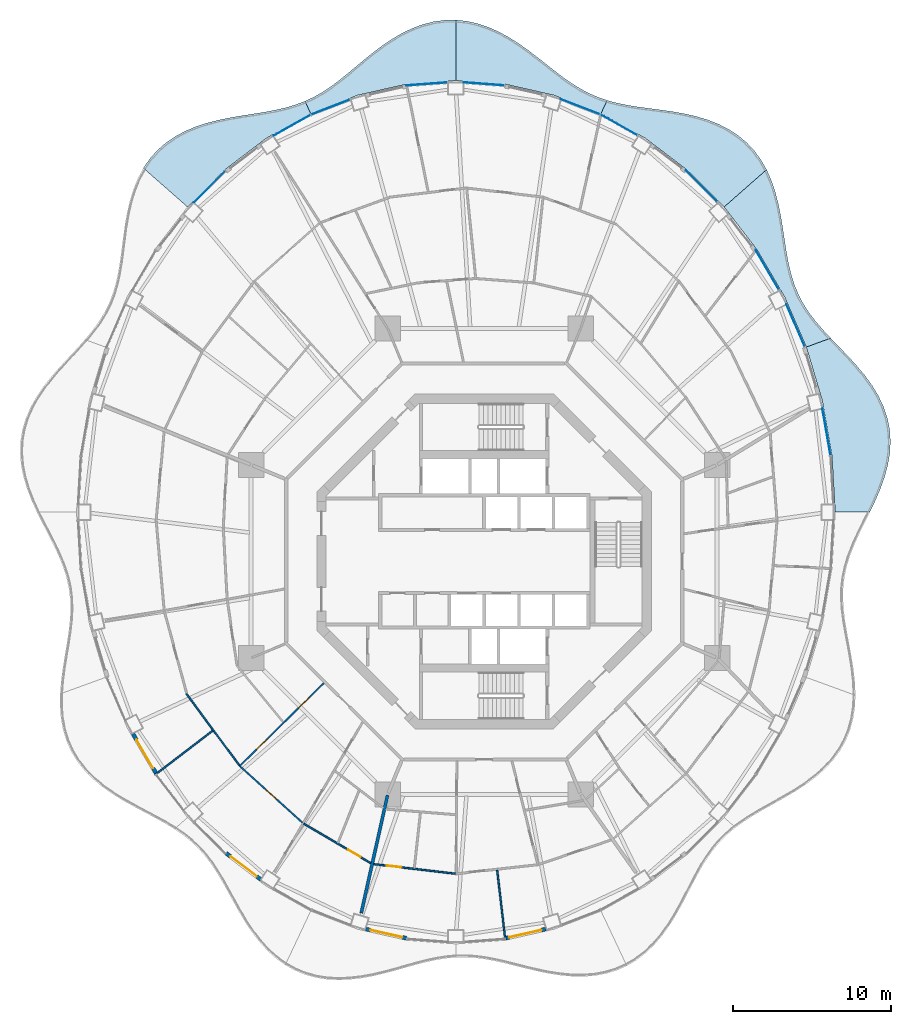
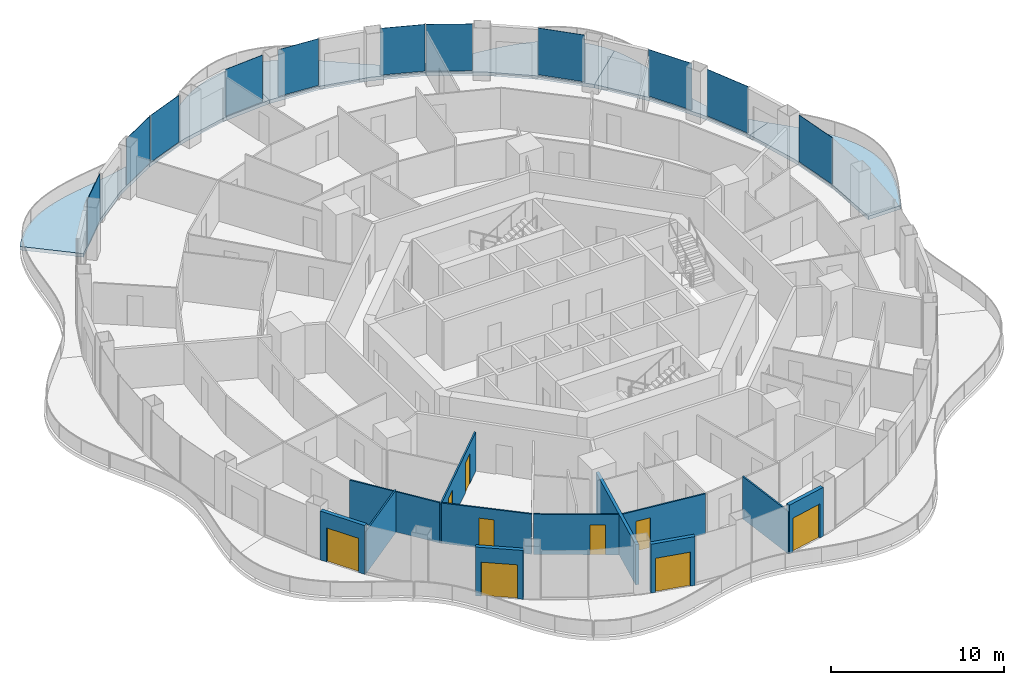
# One storey, part 9 of 18: 12 walls, 11 plates, 9 doors, 6 slabs, 9 openings, 11 elements without a shape of their own.
"""IFC4 building model written with IfcOpenShell, lengths in metres."""

from ifc_helpers import new_model, si_unit, direction, frame, frame_2d, origin, origin_2d, place, context, subcontext, project, spatial, polyline, rectangle, outline, extrude, material, layer, layer_set, type_object, element, fill, aggregate, save


model = new_model("IFC4")

# Units and contexts
model_context = context("Model", 3, precision=1e-05, world=origin(), true_north=direction((0.0, 1.0)))
body_context = subcontext(model_context, "Body", "Model", "MODEL_VIEW")
ifc_project = project(units=[si_unit("LENGTHUNIT", "METRE"), si_unit("AREAUNIT", "SQUARE_METRE"), si_unit("VOLUMEUNIT", "CUBIC_METRE"), si_unit("PLANEANGLEUNIT", "RADIAN"), si_unit("MASSUNIT", "GRAM", prefix="KILO")], contexts=[model_context])

# Site, building, storey
site_placement = place(None, origin())
site = spatial("IfcSite", under=ifc_project, at=site_placement, CompositionType="ELEMENT")
building_placement = place(site_placement, origin())
building = spatial("IfcBuilding", under=site, at=building_placement, Name="Nagisa Residences", CompositionType="ELEMENT")
storey_placement = place(building_placement, frame((0.0, 0.0, 234.39990234375)))
storey = spatial("IfcBuildingStorey", under=building, at=storey_placement, Name="L59", CompositionType="ELEMENT", Elevation=234.39990234375)

# Slabs
ifc_material_1 = material(Name="Concrete C40/50", Category="concrete")
ifc_layer_1 = layer(ifc_material_1, 0.25)
ifc_layer_set_1 = layer_set([ifc_layer_1], Name="BALCONY SLAB 250")
slab_type = type_object("IfcSlabType", Name="BALCONY SLAB 250", PredefinedType="FLOOR", material=ifc_layer_set_1)
slab_1_placement = place(storey_placement, frame((0.0, 0.0, -0.25)))
element("IfcSlab", 1, at=slab_1_placement, inside=storey, type_object=slab_type, Name="slab:L59:bal00", PredefinedType="FLOOR", context=body_context, shape_type="SweptSolid", body=[
    extrude(outline(polyline([(24.463134765625, 3.11767578125), (24.804931640625, 3.840576171875), (25.120361328125, 4.57763671875), (25.390869140625, 5.326904296875), (25.59912109375, 6.08447265625), (25.73046875, 6.845703125), (25.7744140625, 7.605224609375), (25.72412109375, 8.3564453125), (25.576904296875, 9.093994140625), (25.33544921875, 9.8125), (25.00634765625, 10.507568359375), (24.6005859375, 11.1767578125), (24.1318359375, 11.818603515625), (23.617431640625, 12.434326171875), (23.0751953125, 13.02685546875), (22.52392578125, 13.600341796875), (21.98193359375, 14.161376953125), (20.437744140625, 13.599365234375), (21.449951171875, 10.206787109375), (22.06396484375, 6.69287109375), (22.27001953125, 3.11767578125), (24.463134765625, 3.11767578125)])), origin(), (0.0, 0.0, 1.0), 0.25),
])
slab_2_placement = place(storey_placement, frame((0.0, 0.0, -0.25)))
element("IfcSlab", 2, at=slab_2_placement, inside=storey, type_object=slab_type, Name="slab:L59:bal01", PredefinedType="FLOOR", context=body_context, shape_type="SweptSolid", body=[
    extrude(outline(polyline([(21.98193359375, 14.161376953125), (21.48095703125, 14.7001953125), (21.01708984375, 15.24169921875), (20.60009765625, 15.793212890625), (20.23583984375, 16.36181640625), (19.927490234375, 16.953857421875), (19.673583984375, 17.573974609375), (19.469482421875, 18.22509765625), (19.306640625, 18.90771484375), (19.174072265625, 19.620361328125), (19.05859375, 20.359130859375), (18.9453125, 21.117431640625), (18.819580078125, 21.88671875), (18.666259765625, 22.656494140625), (18.4716796875, 23.415771484375), (18.224365234375, 24.152099609375), (17.9150390625, 24.853759765625), (15.219970703125, 22.4853515625), (17.2958984375, 19.791748046875), (19.045166015625, 16.812744140625), (20.437744140625, 13.599365234375), (21.98193359375, 14.161376953125)])), origin(), (0.0, 0.0, 1.0), 0.25),
])
slab_3_placement = place(storey_placement, frame((0.0, 0.0, -0.25)))
element("IfcSlab", 3, at=slab_3_placement, inside=storey, type_object=slab_type, Name="slab:L59:bal02", PredefinedType="FLOOR", context=body_context, shape_type="SweptSolid", body=[
    extrude(outline(polyline([(17.9150390625, 24.853759765625), (17.556884765625, 25.479736328125), (17.134521484375, 26.055419921875), (16.648193359375, 26.573974609375), (16.100830078125, 27.03076171875), (15.498046875, 27.423583984375), (14.84716796875, 27.752685546875), (14.157470703125, 28.021728515625), (13.439208984375, 28.23583984375), (12.703369140625, 28.403564453125), (11.96044921875, 28.534912109375), (11.22021484375, 28.641845703125), (10.491455078125, 28.737060546875), (9.78125, 28.833251953125), (9.094482421875, 28.943115234375), (8.433837890625, 29.078369140625), (7.80029296875, 29.248291015625), (7.4111328125, 28.4228515625), (10.235107421875, 26.838134765625), (12.852783203125, 24.84765625), (15.219970703125, 22.4853515625), (17.9150390625, 24.853759765625)])), origin(), (0.0, 0.0, 1.0), 0.25),
])
slab_4_placement = place(storey_placement, frame((0.0, 0.0, -0.25)))
element("IfcSlab", 4, at=slab_4_placement, inside=storey, type_object=slab_type, Name="slab:L59:bal03", PredefinedType="FLOOR", context=body_context, shape_type="SweptSolid", body=[
    extrude(outline(polyline([(7.80029296875, 29.248291015625), (7.213623046875, 29.4521484375), (6.647216796875, 29.699462890625), (6.0966796875, 29.991455078125), (5.556640625, 30.3271484375), (5.020751953125, 30.701904296875), (4.482666015625, 31.10888671875), (3.9365234375, 31.538818359375), (3.376953125, 31.980224609375), (2.7998046875, 32.420166015625), (2.20166015625, 32.844970703125), (1.5810546875, 33.240234375), (0.9384765625, 33.592529296875), (0.275390625, 33.889404296875), (-0.4052734375, 34.11962890625), (-1.098876953125, 34.275146484375), (-1.800048828125, 34.349365234375), (-1.800048828125, 30.5078125), (1.341796875, 30.2734375), (4.4296875, 29.574462890625), (7.4111328125, 28.4228515625), (7.80029296875, 29.248291015625)])), origin(), (0.0, 0.0, 1.0), 0.25),
])
slab_5_placement = place(storey_placement, frame((0.0, 0.0, -0.25)))
element("IfcSlab", 5, at=slab_5_placement, inside=storey, type_object=slab_type, Name="slab:L59:bal04", PredefinedType="FLOOR", context=body_context, shape_type="SweptSolid", body=[
    extrude(outline(polyline([(-1.800048828125, 34.349365234375), (-2.503173828125, 34.33984375), (-3.201904296875, 34.246337890625), (-3.890869140625, 34.07177734375), (-4.564453125, 33.82275390625), (-5.218994140625, 33.5078125), (-5.851318359375, 33.137939453125), (-6.46044921875, 32.725830078125), (-7.04638671875, 32.28466796875), (-7.611083984375, 31.8291015625), (-8.157958984375, 31.372314453125), (-8.69189453125, 30.927490234375), (-9.21826171875, 30.505615234375), (-9.74365234375, 30.1162109375), (-10.274169921875, 29.765869140625), (-10.81640625, 29.458740234375), (-11.375732421875, 29.196044921875), (-11.01123046875, 28.4228515625), (-8.02978515625, 29.574462890625), (-4.941650390625, 30.2734375), (-1.800048828125, 30.5078125), (-1.800048828125, 34.349365234375)])), origin(), (0.0, 0.0, 1.0), 0.25),
])
slab_6_placement = place(storey_placement, frame((0.0, 0.0, -0.25)))
element("IfcSlab", 6, at=slab_6_placement, inside=storey, type_object=slab_type, Name="slab:L59:bal05", PredefinedType="FLOOR", context=body_context, shape_type="SweptSolid", body=[
    extrude(outline(polyline([(-11.375732421875, 29.196044921875), (-11.978759765625, 28.968994140625), (-12.6083984375, 28.783447265625), (-13.265625, 28.632080078125), (-13.94970703125, 28.505126953125), (-14.65771484375, 28.390869140625), (-15.3837890625, 28.27734375), (-16.120849609375, 28.151611328125), (-16.85986328125, 28.0009765625), (-17.59033203125, 27.814208984375), (-18.3017578125, 27.581298828125), (-18.98291015625, 27.294677734375), (-19.623779296875, 26.948486328125), (-20.215087890625, 26.540283203125), (-20.7490234375, 26.0693359375), (-21.220703125, 25.538330078125), (-21.626953125, 24.9521484375), (-18.820068359375, 22.4853515625), (-16.452880859375, 24.84765625), (-13.8349609375, 26.838134765625), (-11.01123046875, 28.4228515625), (-11.375732421875, 29.196044921875)])), origin(), (0.0, 0.0, 1.0), 0.25),
])

# Curtain wall, plate
ifc_material_2 = material(Name="Concrete-coloured aluminium curtain wall system", Category="concrete")
ifc_layer_2 = layer(ifc_material_2, 0.159912109375)
ifc_layer_set_2 = layer_set([ifc_layer_2], Name="CW1 CURTAIN WALL")
curtain_wall_type = type_object("IfcCurtainWallType", Name="CW1 CURTAIN WALL", PredefinedType="NOTDEFINED", material=ifc_layer_set_2)
curtain_wall_1_placement = place(storey_placement, origin())
curtain_wall_1 = element("IfcCurtainWall", 7, at=curtain_wall_1_placement, inside=storey, type_object=curtain_wall_type, Name="cw:CW1:L59:01", PredefinedType="NOTDEFINED")
ifc_material_3 = material(Name="Clear laminated glass", Category="glass")
ifc_layer_3 = layer(ifc_material_3, 0.028076171875)
ifc_layer_set_3 = layer_set([ifc_layer_3], Name="CW1 GLASS PANEL")
plate_type = type_object("IfcPlateType", Name="CW1 GLASS PANEL", PredefinedType="CURTAIN_PANEL", material=ifc_layer_set_3)
plate_1_placement = place(storey_placement, frame((21.716064453125, 8.21923828125, 0.150146484375), z_axis=(0.0, 0.0, 1.0), x_axis=(-0.172190868898, 0.985063604377, 0.0)))
plate_1 = element("IfcPlate", 8, at=plate_1_placement, type_object=plate_type, Name="CW1 panel", PredefinedType="CURTAIN_PANEL", context=body_context, shape_type="SweptSolid", body=[
    extrude(rectangle(XDim=3.00732421875, YDim=0.028076171875, at=origin_2d()), origin(), (0.0, 0.0, 1.0), 3.2900390625),
])
aggregate(curtain_wall_1, [plate_1])

curtain_wall_2_placement = place(storey_placement, origin())
curtain_wall_2 = element("IfcCurtainWall", 9, at=curtain_wall_2_placement, inside=storey, type_object=curtain_wall_type, Name="cw:CW1:L59:03", PredefinedType="NOTDEFINED")
plate_2_placement = place(storey_placement, frame((19.755615234375, 14.972412109375, 0.150146484375), z_axis=(0.0, 0.0, 1.0), x_axis=(-0.397635934147, 0.917543276295, 0.0)))
plate_2 = element("IfcPlate", 10, at=plate_2_placement, type_object=plate_type, Name="CW1 panel", PredefinedType="CURTAIN_PANEL", context=body_context, shape_type="SweptSolid", body=[
    extrude(rectangle(XDim=2.942138671875, YDim=0.028076171875, at=origin_2d()), origin(), (0.0, 0.0, 1.0), 3.2900390625),
])
aggregate(curtain_wall_2, [plate_2])

curtain_wall_3_placement = place(storey_placement, origin())
curtain_wall_3 = element("IfcCurtainWall", 11, at=curtain_wall_3_placement, inside=storey, type_object=curtain_wall_type, Name="cw:CW1:L59:04", PredefinedType="NOTDEFINED")
plate_3_placement = place(storey_placement, frame((17.9599609375, 18.503173828125, 0.150146484375), z_axis=(0.0, 0.0, 1.0), x_axis=(-0.506348567002, 0.862328898214, 0.0)))
plate_3 = element("IfcPlate", 12, at=plate_3_placement, type_object=plate_type, Name="CW1 panel", PredefinedType="CURTAIN_PANEL", context=body_context, shape_type="SweptSolid", body=[
    extrude(rectangle(XDim=2.89453125, YDim=0.028076171875, at=origin_2d()), origin(), (0.0, 0.0, 1.0), 3.2900390625),
])
aggregate(curtain_wall_3, [plate_3])

curtain_wall_4_placement = place(storey_placement, origin())
curtain_wall_4 = element("IfcCurtainWall", 13, at=curtain_wall_4_placement, inside=storey, type_object=curtain_wall_type, Name="cw:CW1:L59:06", PredefinedType="NOTDEFINED")
plate_4_placement = place(storey_placement, frame((13.78173828125, 23.8076171875, 0.150146484375), z_axis=(0.0, 0.0, 1.0), x_axis=(-0.707835924016, 0.706376885714, 0.0)))
plate_4 = element("IfcPlate", 14, at=plate_4_placement, type_object=plate_type, Name="CW1 panel", PredefinedType="CURTAIN_PANEL", context=body_context, shape_type="SweptSolid", body=[
    extrude(rectangle(XDim=2.7841796875, YDim=0.028076171875, at=origin_2d()), origin(), (0.0, 0.0, 1.0), 3.2900390625),
])
aggregate(curtain_wall_4, [plate_4])

curtain_wall_5_placement = place(storey_placement, origin())
curtain_wall_5 = element("IfcCurtainWall", 15, at=curtain_wall_5_placement, inside=storey, type_object=curtain_wall_type, Name="cw:CW1:L59:08", PredefinedType="NOTDEFINED")
plate_5_placement = place(storey_placement, frame((8.539794921875, 27.69775390625, 0.150146484375), z_axis=(0.0, 0.0, 1.0), x_axis=(-0.872072377523, 0.489376918501, 0.0)))
plate_5 = element("IfcPlate", 16, at=plate_5_placement, type_object=plate_type, Name="CW1 panel", PredefinedType="CURTAIN_PANEL", context=body_context, shape_type="SweptSolid", body=[
    extrude(rectangle(XDim=2.677978515625, YDim=0.028076171875, at=origin_2d()), origin(), (0.0, 0.0, 1.0), 3.2900390625),
])
aggregate(curtain_wall_5, [plate_5])

curtain_wall_6_placement = place(storey_placement, origin())
curtain_wall_6 = element("IfcCurtainWall", 17, at=curtain_wall_6_placement, inside=storey, type_object=curtain_wall_type, Name="cw:CW1:L59:09", PredefinedType="NOTDEFINED")
plate_6_placement = place(storey_placement, frame((6.096923828125, 28.8447265625, 0.150146484375), z_axis=(0.0, 0.0, 1.0), x_axis=(-0.932825759707, 0.360327770268, 0.0)))
plate_6 = element("IfcPlate", 18, at=plate_6_placement, type_object=plate_type, Name="CW1 panel", PredefinedType="CURTAIN_PANEL", context=body_context, shape_type="SweptSolid", body=[
    extrude(rectangle(XDim=2.63623046875, YDim=0.028076171875, at=origin_2d()), origin(), (0.0, 0.0, 1.0), 3.2900390625),
])
aggregate(curtain_wall_6, [plate_6])

curtain_wall_7_placement = place(storey_placement, origin())
curtain_wall_7 = element("IfcCurtainWall", 19, at=curtain_wall_7_placement, inside=storey, type_object=curtain_wall_type, Name="cw:CW1:L59:11", PredefinedType="NOTDEFINED")
plate_7_placement = place(storey_placement, frame((-0.015625, 30.29443359375, 0.150146484375), z_axis=(0.0, 0.0, 1.0), x_axis=(-0.997230168512, 0.074377355493, 0.0)))
plate_7 = element("IfcPlate", 20, at=plate_7_placement, type_object=plate_type, Name="CW1 panel", PredefinedType="CURTAIN_PANEL", context=body_context, shape_type="SweptSolid", body=[
    extrude(rectangle(XDim=2.590576171875, YDim=0.028076171875, at=origin_2d()), origin(), (0.0, 0.0, 1.0), 3.2900390625),
])
aggregate(curtain_wall_7, [plate_7])

curtain_wall_8_placement = place(storey_placement, origin())
curtain_wall_8 = element("IfcCurtainWall", 21, at=curtain_wall_8_placement, inside=storey, type_object=curtain_wall_type, Name="cw:CW1:L59:12", PredefinedType="NOTDEFINED")
plate_8_placement = place(storey_placement, frame((-3.64404296875, 30.2900390625, 0.150146484375), z_axis=(0.0, 0.0, 1.0), x_axis=(-0.997230168512, -0.074377355493, 0.0)))
plate_8 = element("IfcPlate", 22, at=plate_8_placement, type_object=plate_type, Name="CW1 panel", PredefinedType="CURTAIN_PANEL", context=body_context, shape_type="SweptSolid", body=[
    extrude(rectangle(XDim=2.590576171875, YDim=0.028076171875, at=origin_2d()), origin(), (0.0, 0.0, 1.0), 3.2900390625),
])
aggregate(curtain_wall_8, [plate_8])

curtain_wall_9_placement = place(storey_placement, origin())
curtain_wall_9 = element("IfcCurtainWall", 23, at=curtain_wall_9_placement, inside=storey, type_object=curtain_wall_type, Name="cw:CW1:L59:14", PredefinedType="NOTDEFINED")
plate_9_placement = place(storey_placement, frame((-9.7529296875, 28.822998046875, 0.150146484375), z_axis=(0.0, 0.0, 1.0), x_axis=(-0.932825759707, -0.360327770268, 0.0)))
plate_9 = element("IfcPlate", 24, at=plate_9_placement, type_object=plate_type, Name="CW1 panel", PredefinedType="CURTAIN_PANEL", context=body_context, shape_type="SweptSolid", body=[
    extrude(rectangle(XDim=2.63623046875, YDim=0.028076171875, at=origin_2d()), origin(), (0.0, 0.0, 1.0), 3.2900390625),
])
aggregate(curtain_wall_9, [plate_9])

curtain_wall_10_placement = place(storey_placement, origin())
curtain_wall_10 = element("IfcCurtainWall", 25, at=curtain_wall_10_placement, inside=storey, type_object=curtain_wall_type, Name="cw:CW1:L59:15", PredefinedType="NOTDEFINED")
plate_10_placement = place(storey_placement, frame((-12.192138671875, 27.66845703125, 0.150146484375), z_axis=(0.0, 0.0, 1.0), x_axis=(-0.872072377523, -0.489376918501, 0.0)))
plate_10 = element("IfcPlate", 26, at=plate_10_placement, type_object=plate_type, Name="CW1 panel", PredefinedType="CURTAIN_PANEL", context=body_context, shape_type="SweptSolid", body=[
    extrude(rectangle(XDim=2.677978515625, YDim=0.028076171875, at=origin_2d()), origin(), (0.0, 0.0, 1.0), 3.2900390625),
])
aggregate(curtain_wall_10, [plate_10])

curtain_wall_11_placement = place(storey_placement, origin())
curtain_wall_11 = element("IfcCurtainWall", 27, at=curtain_wall_11_placement, inside=storey, type_object=curtain_wall_type, Name="cw:CW1:L59:17", PredefinedType="NOTDEFINED")
plate_11_placement = place(storey_placement, frame((-17.42431640625, 23.765380859375, 0.150146484375), z_axis=(0.0, 0.0, 1.0), x_axis=(-0.707835924016, -0.706376885714, 0.0)))
plate_11 = element("IfcPlate", 28, at=plate_11_placement, type_object=plate_type, Name="CW1 panel", PredefinedType="CURTAIN_PANEL", context=body_context, shape_type="SweptSolid", body=[
    extrude(rectangle(XDim=2.7841796875, YDim=0.028076171875, at=origin_2d()), origin(), (0.0, 0.0, 1.0), 3.2900390625),
])
aggregate(curtain_wall_11, [plate_11])

# Walls
ifc_material_4 = material(Name="Gypsum board on steel studs", Category="steel")
ifc_layer_4 = layer(ifc_material_4, 0.199951171875)
ifc_layer_set_4 = layer_set([ifc_layer_4], Name="Apartment compartment wall EI60 200")
wall_type_1 = type_object("IfcWallType", Name="Apartment compartment wall EI60 200", PredefinedType="PARTITIONING", material=ifc_layer_set_4)
wall_1_placement = place(storey_placement, frame((-6.1337890625, -14.830810546875, 0.0), z_axis=(0.0, 0.0, 1.0), x_axis=(-0.217500172543, -0.976060282433, 0.0)))
element("IfcWall", 29, at=wall_1_placement, inside=storey, type_object=wall_type_1, Name="wall:L59:u05", PredefinedType="PARTITIONING", context=body_context, shape_type="SweptSolid", body=[
    extrude(rectangle(XDim=7.667724609375, YDim=0.199951171875, at=frame_2d((3.833984375, 0.0))), origin(), (0.0, 0.0, 1.0), 2.837158203125),
])
ifc_material_5 = material(Name="Gypsum board on steel studs", Category="steel")
ifc_layer_5 = layer(ifc_material_5, 0.10009765625)
ifc_layer_set_5 = layer_set([ifc_layer_5], Name="Apartment partition 100")
wall_type_2 = type_object("IfcWallType", Name="Apartment partition 100", PredefinedType="PARTITIONING", material=ifc_layer_set_5)
wall_2_placement = place(storey_placement, frame((-18.893310546875, -8.394775390625, 0.0), z_axis=(0.0, 0.0, 1.0), x_axis=(0.593212299255, -0.80504606577, 0.0)))
element("IfcWall", 30, at=wall_2_placement, inside=storey, type_object=wall_type_2, Name="wall:L59:u67", PredefinedType="PARTITIONING", context=body_context, shape_type="SweptSolid", body=[
    extrude(rectangle(XDim=5.65185546875, YDim=0.10009765625, at=frame_2d((2.825927734375, 0.0))), origin(), (0.0, 0.0, 1.0), 2.837158203125),
])
wall_3_placement = place(storey_placement, frame((-17.226806640625, -10.740478515625, 0.0), z_axis=(0.0, 0.0, 1.0), x_axis=(-0.793312316411, -0.60881488864, 0.0)))
element("IfcWall", 31, at=wall_3_placement, inside=storey, type_object=wall_type_2, Name="wall:L59:u68", PredefinedType="PARTITIONING", context=body_context, shape_type="SweptSolid", body=[
    extrude(rectangle(XDim=4.585205078125, YDim=0.10009765625, at=frame_2d((2.29248046875, 0.0))), origin(), (0.0, 0.0, 1.0), 2.983154296875),
])

# Wall, openings, doors
wall_4_placement = place(storey_placement, frame((-10.1826171875, -7.728271484375, 0.0), z_axis=(0.0, 0.0, 1.0), x_axis=(-0.711869910979, -0.702311348223, 0.0)))
wall_4 = element("IfcWall", 32, at=wall_4_placement, inside=storey, type_object=wall_type_2, Name="wall:L59:u69", PredefinedType="PARTITIONING", context=body_context, shape_type="SweptSolid", body=[
    extrude(rectangle(XDim=7.53466796875, YDim=0.10009765625, at=frame_2d((3.767333984375, 0.0))), origin(), (0.0, 0.0, 1.0), 2.76220703125),
])
opening_1_placement = place(wall_4_placement, frame((1.335205078125, 0.0, 0.0)))
opening_1 = element("IfcOpeningElement", 33, at=opening_1_placement, cuts=wall_4, Name="Opening L59-U02", PredefinedType="OPENING", context=body_context, shape_type="SweptSolid", body=[
    extrude(rectangle(XDim=0.89990234375, YDim=2.10009765625, at=frame_2d((0.449951171875, 1.050048828125))), frame((0.0, 0.06005859375, 0.0), z_axis=(0.0, -1.0, 0.0), x_axis=(1.0, 0.0, 0.0)), (0.0, 0.0, 1.0), 0.1201171875),
])
opening_2_placement = place(wall_4_placement, frame((5.077392578125, 0.0, 0.0)))
opening_2 = element("IfcOpeningElement", 34, at=opening_2_placement, cuts=wall_4, Name="Opening L59-U04", PredefinedType="OPENING", context=body_context, shape_type="SweptSolid", body=[
    extrude(rectangle(XDim=0.89990234375, YDim=2.10009765625, at=frame_2d((0.449951171875, 1.050048828125))), frame((0.0, 0.06005859375, 0.0), z_axis=(0.0, -1.0, 0.0), x_axis=(1.0, 0.0, 0.0)), (0.0, 0.0, 1.0), 0.1201171875),
])
ifc_material_6 = material(Name="Timber door set", Category="wood")
door_type_1 = type_object("IfcDoorType", Name="Apartment door 900x2100", OperationType="NOTDEFINED", PredefinedType="DOOR", material=ifc_material_6)
door_1_placement = place(opening_1_placement, frame((0.89990234375, 0.0, 0.0), x_axis=(-1.0, 0.0, 0.0)))
door_1 = element("IfcDoor", 35, at=door_1_placement, inside=storey, type_object=door_type_1, Name="Door to store, Apartment 59A", OperationType="SINGLE_SWING_LEFT", OverallHeight=2.10009765625, OverallWidth=0.89990234375, PredefinedType="DOOR", context=body_context, shape_type="SweptSolid", body=[
    extrude(rectangle(XDim=0.89990234375, YDim=2.10009765625, at=frame_2d((0.449951171875, 1.050048828125))), frame((0.0, 0.02490234375, 0.0), z_axis=(0.0, -1.0, 0.0), x_axis=(1.0, 0.0, 0.0)), (0.0, 0.0, 1.0), 0.050048828125),
])
fill(opening_1, door_1)
door_2_placement = place(opening_2_placement, frame((0.89990234375, 0.0, 0.0), x_axis=(-1.0, 0.0, 0.0)))
door_2 = element("IfcDoor", 36, at=door_2_placement, inside=storey, type_object=door_type_1, Name="Door to study, Apartment 59A", OperationType="SINGLE_SWING_LEFT", OverallHeight=2.10009765625, OverallWidth=0.89990234375, PredefinedType="DOOR", context=body_context, shape_type="SweptSolid", body=[
    extrude(rectangle(XDim=0.89990234375, YDim=2.10009765625, at=frame_2d((0.449951171875, 1.050048828125))), frame((0.0, 0.02490234375, 0.0), z_axis=(0.0, -1.0, 0.0), x_axis=(1.0, 0.0, 0.0)), (0.0, 0.0, 1.0), 0.050048828125),
])
fill(opening_2, door_2)

# Wall, opening, door
wall_5_placement = place(storey_placement, frame((-15.4736328125, -13.0185546875, 0.0), z_axis=(0.0, 0.0, 1.0), x_axis=(0.742348572616, -0.670013878017, 0.0)))
wall_5 = element("IfcWall", 37, at=wall_5_placement, inside=storey, type_object=wall_type_2, Name="wall:L59:u70", PredefinedType="PARTITIONING", context=body_context, shape_type="SweptSolid", body=[
    extrude(rectangle(XDim=5.3193359375, YDim=0.10009765625, at=frame_2d((2.65966796875, 0.0))), origin(), (0.0, 0.0, 1.0), 2.837158203125),
])
opening_3_placement = place(wall_5_placement, frame((2.209716796875, 0.0, 0.0)))
opening_3 = element("IfcOpeningElement", 38, at=opening_3_placement, cuts=wall_5, Name="Opening L59-U07", PredefinedType="OPENING", context=body_context, shape_type="SweptSolid", body=[
    extrude(rectangle(XDim=0.89990234375, YDim=2.10009765625, at=frame_2d((0.449951171875, 1.050048828125))), frame((0.0, 0.06005859375, 0.0), z_axis=(0.0, -1.0, 0.0), x_axis=(1.0, 0.0, 0.0)), (0.0, 0.0, 1.0), 0.1201171875),
])
door_3_placement = place(opening_3_placement, frame((0.89990234375, 0.0, 0.0), x_axis=(-1.0, 0.0, 0.0)))
door_3 = element("IfcDoor", 39, at=door_3_placement, inside=storey, type_object=door_type_1, Name="Door to family room, Apartment 59A", OperationType="SINGLE_SWING_RIGHT", OverallHeight=2.10009765625, OverallWidth=0.89990234375, PredefinedType="DOOR", context=body_context, shape_type="SweptSolid", body=[
    extrude(rectangle(XDim=0.89990234375, YDim=2.10009765625, at=frame_2d((0.449951171875, 1.050048828125))), frame((0.0, 0.02490234375, 0.0), z_axis=(0.0, -1.0, 0.0), x_axis=(1.0, 0.0, 0.0)), (0.0, 0.0, 1.0), 0.050048828125),
])
fill(opening_3, door_3)

wall_6_placement = place(storey_placement, frame((-11.444580078125, -16.641357421875, 0.0), z_axis=(0.0, 0.0, 1.0), x_axis=(0.861568986754, -0.507640503766, 0.0)))
wall_6 = element("IfcWall", 40, at=wall_6_placement, inside=storey, type_object=wall_type_2, Name="wall:L59:u73", PredefinedType="PARTITIONING", context=body_context, shape_type="SweptSolid", body=[
    extrude(rectangle(XDim=4.934814453125, YDim=0.10009765625, at=frame_2d((2.46728515625, 0.0))), origin(), (0.0, 0.0, 1.0), 2.837158203125),
])
opening_4_placement = place(wall_6_placement, frame((3.263671875, 0.0, 0.0)))
opening_4 = element("IfcOpeningElement", 41, at=opening_4_placement, cuts=wall_6, Name="Opening L59-U11", PredefinedType="OPENING", context=body_context, shape_type="SweptSolid", body=[
    extrude(rectangle(XDim=0.89990234375, YDim=2.10009765625, at=frame_2d((0.449951171875, 1.050048828125))), frame((0.0, 0.06005859375, 0.0), z_axis=(0.0, -1.0, 0.0), x_axis=(1.0, 0.0, 0.0)), (0.0, 0.0, 1.0), 0.1201171875),
])
door_4_placement = place(opening_4_placement, origin())
door_4 = element("IfcDoor", 42, at=door_4_placement, inside=storey, type_object=door_type_1, Name="Door to en-suite bathroom, Apartment 59A", OperationType="SINGLE_SWING_LEFT", OverallHeight=2.10009765625, OverallWidth=0.89990234375, PredefinedType="DOOR", context=body_context, shape_type="SweptSolid", body=[
    extrude(rectangle(XDim=0.89990234375, YDim=2.10009765625, at=frame_2d((0.449951171875, 1.050048828125))), frame((0.0, 0.02490234375, 0.0), z_axis=(0.0, -1.0, 0.0), x_axis=(1.0, 0.0, 0.0)), (0.0, 0.0, 1.0), 0.050048828125),
])
fill(opening_4, door_4)

wall_7_placement = place(storey_placement, frame((-7.007568359375, -19.208984375, 0.0), z_axis=(0.0, 0.0, 1.0), x_axis=(0.993174535364, -0.116637653885, 0.0)))
wall_7 = element("IfcWall", 43, at=wall_7_placement, inside=storey, type_object=wall_type_2, Name="wall:L59:u76", PredefinedType="PARTITIONING", context=body_context, shape_type="SweptSolid", body=[
    extrude(rectangle(XDim=5.21826171875, YDim=0.10009765625, at=frame_2d((2.609130859375, 0.0))), origin(), (0.0, 0.0, 1.0), 2.837158203125),
])
opening_5_placement = place(wall_7_placement, frame((0.842041015625, 0.0, 0.0)))
opening_5 = element("IfcOpeningElement", 44, at=opening_5_placement, cuts=wall_7, Name="Opening L59-U21", PredefinedType="OPENING", context=body_context, shape_type="SweptSolid", body=[
    extrude(rectangle(XDim=0.89990234375, YDim=2.10009765625, at=frame_2d((0.449951171875, 1.050048828125))), frame((0.0, 0.06005859375, 0.0), z_axis=(0.0, -1.0, 0.0), x_axis=(1.0, 0.0, 0.0)), (0.0, 0.0, 1.0), 0.1201171875),
])
door_5_placement = place(opening_5_placement, origin())
door_5 = element("IfcDoor", 45, at=door_5_placement, inside=storey, type_object=door_type_1, Name="Door to en-suite bathroom, Apartment 59B", OperationType="SINGLE_SWING_LEFT", OverallHeight=2.10009765625, OverallWidth=0.89990234375, PredefinedType="DOOR", context=body_context, shape_type="SweptSolid", body=[
    extrude(rectangle(XDim=0.89990234375, YDim=2.10009765625, at=frame_2d((0.449951171875, 1.050048828125))), frame((0.0, 0.02490234375, 0.0), z_axis=(0.0, -1.0, 0.0), x_axis=(1.0, 0.0, 0.0)), (0.0, 0.0, 1.0), 0.050048828125),
])
fill(opening_5, door_5)

# Wall
wall_8_placement = place(storey_placement, frame((0.821044921875, -19.583740234375, 0.0), z_axis=(0.0, 0.0, 1.0), x_axis=(0.116120946841, -0.993235080786, 0.0)))
element("IfcWall", 46, at=wall_8_placement, inside=storey, type_object=wall_type_2, Name="wall:L59:u80", PredefinedType="PARTITIONING", context=body_context, shape_type="SweptSolid", body=[
    extrude(rectangle(XDim=4.444580078125, YDim=0.10009765625, at=frame_2d((2.22216796875, 0.0))), origin(), (0.0, 0.0, 1.0), 2.983154296875),
])

# Wall, opening, door
ifc_material_7 = material(Name="Precast concrete C40/50", Category="concrete")
ifc_layer_6 = layer(ifc_material_7, 0.25)
ifc_layer_set_6 = layer_set([ifc_layer_6], Name="BALCONY DOOR WALL 250")
wall_type_3 = type_object("IfcWallType", Name="BALCONY DOOR WALL 250", PredefinedType="SOLIDWALL", material=ifc_layer_set_6)
wall_9_placement = place(storey_placement, frame((-20.788330078125, -13.492919921875, 0.0), z_axis=(0.0, 0.0, 1.0), x_axis=(-0.506294090973, 0.862360883532, 0.0)))
wall_9 = element("IfcWall", 47, at=wall_9_placement, inside=storey, type_object=wall_type_3, Name="wall:L59:bay28", PredefinedType="SOLIDWALL", context=body_context, shape_type="SweptSolid", body=[
    extrude(rectangle(XDim=2.95458984375, YDim=0.25, at=frame_2d((1.477294921875, 0.0))), origin(), (0.0, 0.0, 1.0), 3.440185546875),
])
opening_6_placement = place(wall_9_placement, frame((0.42724609375, 0.0, 0.0)))
opening_6 = element("IfcOpeningElement", 48, at=opening_6_placement, cuts=wall_9, Name="Opening BD-L59-10", PredefinedType="OPENING", context=body_context, shape_type="SweptSolid", body=[
    extrude(rectangle(XDim=2.10009765625, YDim=2.39990234375, at=frame_2d((1.050048828125, 1.199951171875))), frame((0.0, 0.135009765625, 0.0), z_axis=(0.0, -1.0, 0.0), x_axis=(1.0, 0.0, 0.0)), (0.0, 0.0, 1.0), 0.27001953125),
])
ifc_material_8 = material(Name="Aluminium and clear glass", Category="aluminium")
door_type_2 = type_object("IfcDoorType", Name="BALCONY SLIDING DOOR 2100x2400", OperationType="SLIDING_TO_LEFT", PredefinedType="DOOR", material=ifc_material_8)
door_6_placement = place(opening_6_placement, origin())
door_6 = element("IfcDoor", 49, at=door_6_placement, inside=storey, type_object=door_type_2, Name="door:L59:bay28", OperationType="SLIDING_TO_LEFT", OverallHeight=2.39990234375, OverallWidth=2.10009765625, PredefinedType="DOOR", context=body_context, shape_type="SweptSolid", body=[
    extrude(rectangle(XDim=2.10009765625, YDim=2.39990234375, at=frame_2d((1.050048828125, 1.199951171875))), frame((0.0, 0.02490234375, 0.0), z_axis=(0.0, -1.0, 0.0), x_axis=(1.0, 0.0, 0.0)), (0.0, 0.0, 1.0), 0.050048828125),
])
fill(opening_6, door_6)

wall_10_placement = place(storey_placement, frame((-14.157470703125, -20.20068359375, 0.0), z_axis=(0.0, 0.0, 1.0), x_axis=(-0.795990084031, 0.60530966135, 0.0)))
wall_10 = element("IfcWall", 50, at=wall_10_placement, inside=storey, type_object=wall_type_3, Name="wall:L59:bay31", PredefinedType="SOLIDWALL", context=body_context, shape_type="SweptSolid", body=[
    extrude(rectangle(XDim=2.78857421875, YDim=0.25, at=frame_2d((1.394287109375, 0.0))), origin(), (0.0, 0.0, 1.0), 3.440185546875),
])
opening_7_placement = place(wall_10_placement, frame((0.34423828125, 0.0, 0.0)))
opening_7 = element("IfcOpeningElement", 51, at=opening_7_placement, cuts=wall_10, Name="Opening BD-L59-11", PredefinedType="OPENING", context=body_context, shape_type="SweptSolid", body=[
    extrude(rectangle(XDim=2.10009765625, YDim=2.39990234375, at=frame_2d((1.050048828125, 1.199951171875))), frame((0.0, 0.135009765625, 0.0), z_axis=(0.0, -1.0, 0.0), x_axis=(1.0, 0.0, 0.0)), (0.0, 0.0, 1.0), 0.27001953125),
])
door_7_placement = place(opening_7_placement, origin())
door_7 = element("IfcDoor", 52, at=door_7_placement, inside=storey, type_object=door_type_2, Name="door:L59:bay31", OperationType="SLIDING_TO_LEFT", OverallHeight=2.39990234375, OverallWidth=2.10009765625, PredefinedType="DOOR", context=body_context, shape_type="SweptSolid", body=[
    extrude(rectangle(XDim=2.10009765625, YDim=2.39990234375, at=frame_2d((1.050048828125, 1.199951171875))), frame((0.0, 0.02490234375, 0.0), z_axis=(0.0, -1.0, 0.0), x_axis=(1.0, 0.0, 0.0)), (0.0, 0.0, 1.0), 0.050048828125),
])
fill(opening_7, door_7)

wall_11_placement = place(storey_placement, frame((-4.9140625, -23.916015625, 0.0), z_axis=(0.0, 0.0, 1.0), x_axis=(-0.975324089124, 0.220777990694, 0.0)))
wall_11 = element("IfcWall", 53, at=wall_11_placement, inside=storey, type_object=wall_type_3, Name="wall:L59:bay34", PredefinedType="SOLIDWALL", context=body_context, shape_type="SweptSolid", body=[
    extrude(rectangle(XDim=2.666015625, YDim=0.25, at=frame_2d((1.3330078125, 0.0))), origin(), (0.0, 0.0, 1.0), 3.440185546875),
])
opening_8_placement = place(wall_11_placement, frame((0.282958984375, 0.0, 0.0)))
opening_8 = element("IfcOpeningElement", 54, at=opening_8_placement, cuts=wall_11, Name="Opening BD-L59-12", PredefinedType="OPENING", context=body_context, shape_type="SweptSolid", body=[
    extrude(rectangle(XDim=2.10009765625, YDim=2.39990234375, at=frame_2d((1.050048828125, 1.199951171875))), frame((0.0, 0.135009765625, 0.0), z_axis=(0.0, -1.0, 0.0), x_axis=(1.0, 0.0, 0.0)), (0.0, 0.0, 1.0), 0.27001953125),
])
door_8_placement = place(opening_8_placement, origin())
door_8 = element("IfcDoor", 55, at=door_8_placement, inside=storey, type_object=door_type_2, Name="door:L59:bay34", OperationType="SLIDING_TO_LEFT", OverallHeight=2.39990234375, OverallWidth=2.10009765625, PredefinedType="DOOR", context=body_context, shape_type="SweptSolid", body=[
    extrude(rectangle(XDim=2.10009765625, YDim=2.39990234375, at=frame_2d((1.050048828125, 1.199951171875))), frame((0.0, 0.02490234375, 0.0), z_axis=(0.0, -1.0, 0.0), x_axis=(1.0, 0.0, 0.0)), (0.0, 0.0, 1.0), 0.050048828125),
])
fill(opening_8, door_8)

wall_12_placement = place(storey_placement, frame((3.91455078125, -23.327392578125, 0.0), z_axis=(0.0, 0.0, 1.0), x_axis=(-0.975324089124, -0.220777990694, 0.0)))
wall_12 = element("IfcWall", 56, at=wall_12_placement, inside=storey, type_object=wall_type_3, Name="wall:L59:bay37", PredefinedType="SOLIDWALL", context=body_context, shape_type="SweptSolid", body=[
    extrude(rectangle(XDim=2.666015625, YDim=0.25, at=frame_2d((1.3330078125, 0.0))), origin(), (0.0, 0.0, 1.0), 3.440185546875),
])
opening_9_placement = place(wall_12_placement, frame((0.282958984375, 0.0, 0.0)))
opening_9 = element("IfcOpeningElement", 57, at=opening_9_placement, cuts=wall_12, Name="Opening BD-L59-13", PredefinedType="OPENING", context=body_context, shape_type="SweptSolid", body=[
    extrude(rectangle(XDim=2.10009765625, YDim=2.39990234375, at=frame_2d((1.050048828125, 1.199951171875))), frame((0.0, 0.135009765625, 0.0), z_axis=(0.0, -1.0, 0.0), x_axis=(1.0, 0.0, 0.0)), (0.0, 0.0, 1.0), 0.27001953125),
])
door_9_placement = place(opening_9_placement, origin())
door_9 = element("IfcDoor", 58, at=door_9_placement, inside=storey, type_object=door_type_2, Name="door:L59:bay37", OperationType="SLIDING_TO_LEFT", OverallHeight=2.39990234375, OverallWidth=2.10009765625, PredefinedType="DOOR", context=body_context, shape_type="SweptSolid", body=[
    extrude(rectangle(XDim=2.10009765625, YDim=2.39990234375, at=frame_2d((1.050048828125, 1.199951171875))), frame((0.0, 0.02490234375, 0.0), z_axis=(0.0, -1.0, 0.0), x_axis=(1.0, 0.0, 0.0)), (0.0, 0.0, 1.0), 0.050048828125),
])
fill(opening_9, door_9)

save(model, "model.ifc")
